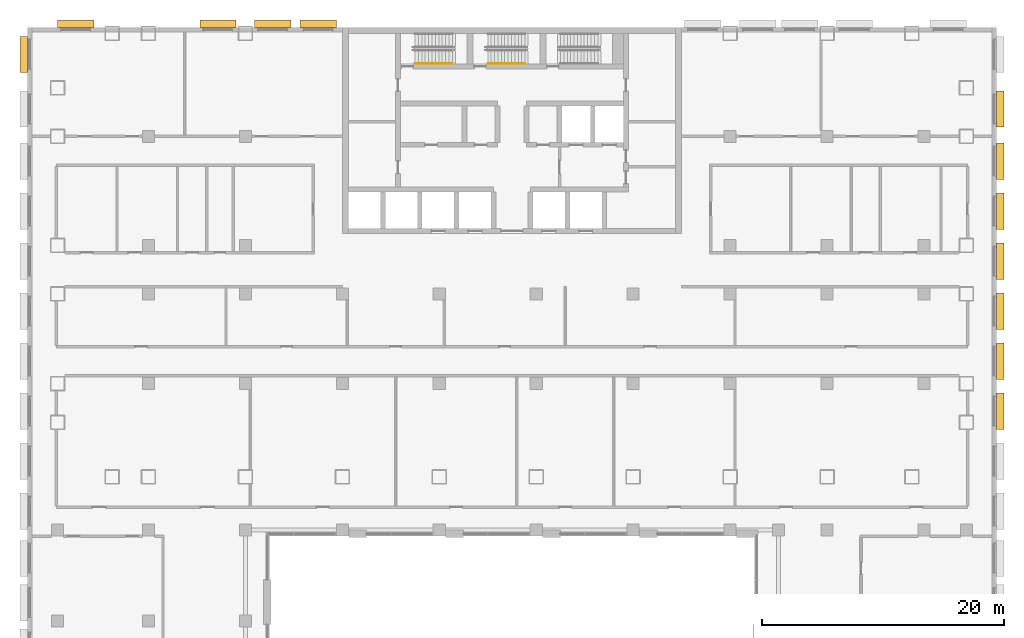
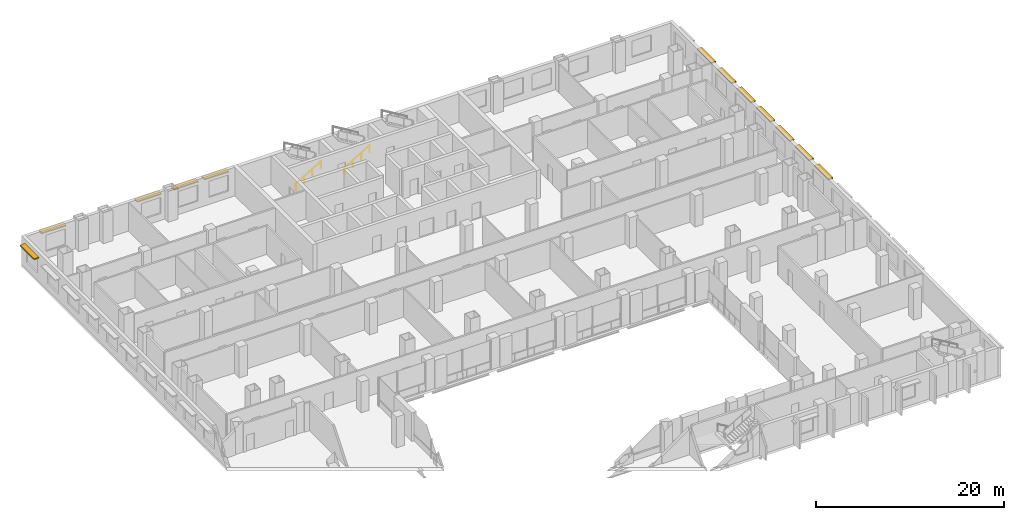
# One storey, part 23 of 25: 12 shading devices, 2 railings.
"""IFC4 building model written with IfcOpenShell, lengths in metres."""

from ifc_helpers import new_model, si_unit, direction, frame, origin, origin_2d, place, context, subcontext, project, spatial, rectangle, circle, extrude, material, layer, layer_set, type_object, element, save


model = new_model("IFC4")

# Units and contexts
model_context = context("Model", 3, precision=1e-05, world=origin(), true_north=direction((0.0, 1.0)))
body_context = subcontext(model_context, "Body", "Model", "MODEL_VIEW")
ifc_project = project(units=[si_unit("LENGTHUNIT", "METRE"), si_unit("AREAUNIT", "SQUARE_METRE"), si_unit("VOLUMEUNIT", "CUBIC_METRE"), si_unit("PLANEANGLEUNIT", "RADIAN"), si_unit("MASSUNIT", "GRAM", prefix="KILO")], contexts=[model_context])

# Site, building, storey
site_placement = place(None, origin())
site = spatial("IfcSite", under=ifc_project, at=site_placement, CompositionType="ELEMENT")
building_placement = place(site_placement, origin())
building = spatial("IfcBuilding", under=site, at=building_placement, Name="Vidyagriha Tower", CompositionType="ELEMENT")
storey_placement = place(building_placement, frame((0.0, 0.0, 10.0)))
storey = spatial("IfcBuildingStorey", under=building, at=storey_placement, Name="L02", CompositionType="ELEMENT", Elevation=10.0)

# Shading devices
ifc_material_1 = material(Name="Precast concrete C40/50 with brick facing", Category="concrete")
ifc_layer = layer(ifc_material_1, 0.14990234375)
ifc_layer_set = layer_set([ifc_layer], Name="Precast concrete C40/50 with brick facing")
shading_device_type = type_object("IfcShadingDeviceType", Name="Brick chhajja window hood", PredefinedType="AWNING", material=ifc_layer_set)
for number, where, z_axis, x_axis, name in (
    (1, (40.300048828125, -11.6875, 3.0), (0.0, 0.0, 1.0), (0.0, 1.0, 0.0), "Window hood L02 R01.12"),
    (2, (40.300048828125, -7.5625, 3.0), (0.0, 0.0, 1.0), (0.0, 1.0, 0.0), "Window hood L02 R01.13"),
    (3, (40.300048828125, -3.4375, 3.0), (0.0, 0.0, 1.0), (0.0, 1.0, 0.0), "Window hood L02 R01.14"),
    (4, (40.300048828125, 0.6875, 3.0), (0.0, 0.0, 1.0), (0.0, 1.0, 0.0), "Window hood L02 R01.15"),
    (5, (40.300048828125, 4.8125, 3.0), (0.0, 0.0, 1.0), (0.0, 1.0, 0.0), "Window hood L02 R01.16"),
    (6, (40.300048828125, 8.9375, 3.0), (0.0, 0.0, 1.0), (0.0, 1.0, 0.0), "Window hood L02 R01.17"),
    (7, (40.300048828125, 13.25, 3.0), (0.0, 0.0, 1.0), (0.0, 1.0, 0.0), "Window hood L02 R01.18"),
    (8, (-16.0, 20.300048828125, 3.0), (0.0, 0.0, 1.0), (-1.0, 0.0, 0.0), "Window hood L02 R04.1"),
    (9, (-19.735107421875, 20.300048828125, 3.0), (0.0, 0.0, 1.0), (-1.0, 0.0, 0.0), "Window hood L02 R04.2"),
    (10, (-24.264892578125, 20.300048828125, 3.0), (0.0, 0.0, 1.0), (-1.0, 0.0, 0.0), "Window hood L02 R04.4"),
    (11, (-36.0, 20.300048828125, 3.0), (0.0, 0.0, 1.0), (-1.0, 0.0, 0.0), "Window hood L02 R04.12"),
    (12, (-40.300048828125, 17.75, 3.0), (0.0, 0.0, 1.0), (0.0, -1.0, 0.0), "Window hood L02 R05.1"),
):
    element("IfcShadingDevice", number, at=place(storey_placement, frame(where, z_axis=z_axis, x_axis=x_axis)), inside=storey, type_object=shading_device_type, Name=name, PredefinedType="AWNING", context=body_context, shape_type="SweptSolid", body=[
        extrude(rectangle(XDim=3.0, YDim=0.60009765625, at=origin_2d()), origin(), (0.0, 0.0, 1.0), 0.14990234375),
    ])

# Railings
ifc_material_2 = material(Name="Steel ASTM A500 Grade C", Category="steel")
railing_type = type_object("IfcRailingType", Name="Stair handrail 900 mm, steel", PredefinedType="HANDRAIL", material=ifc_material_2)
for number, where, name in (
    (13, (-8.0, 17.0, 0.166748046875), "L02 ST1 stair handrail 1"),
    (14, (-2.0, 17.0, 0.166748046875), "L02 ST2 stair handrail 1"),
):
    element("IfcRailing", number, at=place(storey_placement, frame(where)), inside=storey, type_object=railing_type, Name=name, PredefinedType="HANDRAIL", context=body_context, shape_type="SweptSolid", body=[
        extrude(circle(Radius=0.02392578125, at=origin_2d()), frame((0.0, 0.0, 0.8759765625), z_axis=(0.859308565015, 0.0, 0.511457515432), x_axis=(0.0, 1.0, 0.0)), (0.0, 0.0, 1.0), 3.58447265625),
        extrude(circle(Radius=0.02099609375, at=origin_2d()), origin(), (0.0, 0.0, 1.0), 0.851806640625),
        extrude(circle(Radius=0.02099609375, at=origin_2d()), frame((1.026611328125, 0.0, 0.611083984375)), (0.0, 0.0, 1.0), 0.851806640625),
        extrude(circle(Radius=0.02099609375, at=origin_2d()), frame((2.053466796875, 0.0, 1.22216796875)), (0.0, 0.0, 1.0), 0.851806640625),
        extrude(circle(Radius=0.02099609375, at=origin_2d()), frame((3.080078125, 0.0, 1.833251953125)), (0.0, 0.0, 1.0), 0.851806640625),
    ])

save(model, "model.ifc")
